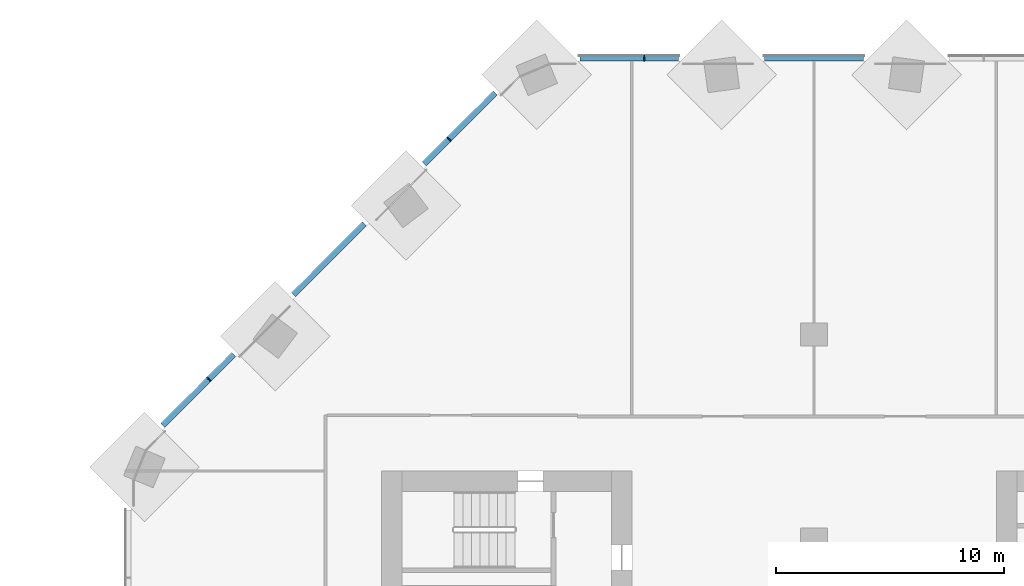
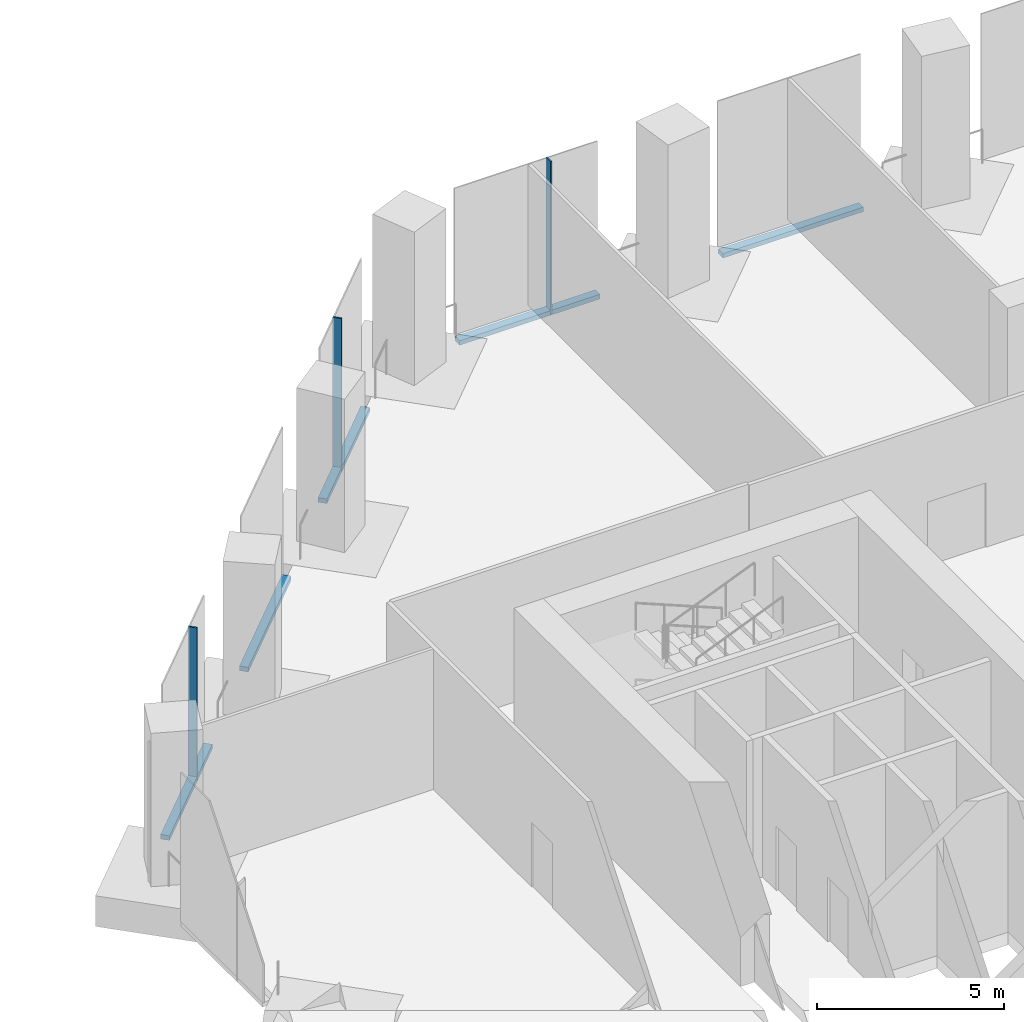
# One storey, part 10 of 27: 8 members, 2 elements without a shape of their own.
"""IFC4 building model written with IfcOpenShell, lengths in metres."""

from ifc_helpers import new_model, si_unit, direction, frame, origin, origin_2d, place, context, subcontext, project, spatial, rectangle, extrude, material, material_profile, profile_set, type_object, element, aggregate, save


model = new_model("IFC4")

# Units and contexts
model_context = context("Model", 3, precision=1e-05, world=origin(), true_north=direction((0.0, 1.0)))
body_context = subcontext(model_context, "Body", "Model", "MODEL_VIEW")
ifc_project = project(units=[si_unit("LENGTHUNIT", "METRE"), si_unit("AREAUNIT", "SQUARE_METRE"), si_unit("VOLUMEUNIT", "CUBIC_METRE"), si_unit("PLANEANGLEUNIT", "RADIAN"), si_unit("MASSUNIT", "GRAM", prefix="KILO")], contexts=[model_context])

# Site, building, storey
site_placement = place(None, origin())
site = spatial("IfcSite", under=ifc_project, at=site_placement, CompositionType="ELEMENT")
building_placement = place(site_placement, origin())
building = spatial("IfcBuilding", under=site, at=building_placement, Name="Orlundy Tower", CompositionType="ELEMENT")
storey_placement = place(building_placement, frame((0.0, 0.0, 10.5)))
storey = spatial("IfcBuildingStorey", under=building, at=storey_placement, Name="L01", CompositionType="ELEMENT", Elevation=10.5)

# Curtain wall, members
ifc_material_1 = material(Name="Aluminium bronze anodised", Category="aluminium")
curtain_wall_type = type_object("IfcCurtainWallType", Name="CW2 wall", PredefinedType="NOTDEFINED", material=ifc_material_1)
curtain_wall_1_placement = place(storey_placement, origin())
curtain_wall_1 = element("IfcCurtainWall", 1, at=curtain_wall_1_placement, inside=storey, type_object=curtain_wall_type, Name="CW2 run 014", PredefinedType="NOTDEFINED")
ifc_material_2 = material(Name="Aluminium bronze anodised", Category="aluminium")
ifc_material_profile_1 = material_profile(ifc_material_2, rectangle(XDim=0.25, YDim=0.050048828125, at=origin_2d()), Name="CW2 mullion 50x250")
ifc_profile_set_1 = profile_set([ifc_material_profile_1], Name="Aluminium bronze anodised")
member_type_1 = type_object("IfcMemberType", Name="CW2 mullion 50x250", PredefinedType="MULLION", material=ifc_profile_set_1)
member_1_placement = place(storey_placement, frame((-26.573486328125, 16.029296875, -0.39990234375), z_axis=(0.0, 0.0, 1.0), x_axis=(-0.707106781187, 0.707106781187, 0.0)))
member_1 = element("IfcMember", 2, at=member_1_placement, type_object=member_type_1, Name="CW2 mullion 35", PredefinedType="MULLION", context=body_context, shape_type="SweptSolid", body=[
    extrude(rectangle(XDim=0.25, YDim=0.050048828125, at=origin_2d()), origin(), (0.0, 0.0, 1.0), 5.0),
])
member_2_placement = place(storey_placement, frame((-16.029296875, 26.573486328125, -0.39990234375), z_axis=(0.0, 0.0, 1.0), x_axis=(-0.707106781187, 0.707106781187, 0.0)))
member_2 = element("IfcMember", 3, at=member_2_placement, type_object=member_type_1, Name="CW2 mullion 38", PredefinedType="MULLION", context=body_context, shape_type="SweptSolid", body=[
    extrude(rectangle(XDim=0.25, YDim=0.050048828125, at=origin_2d()), origin(), (0.0, 0.0, 1.0), 5.0),
])

# Curtain wall, member
curtain_wall_2_placement = place(storey_placement, origin())
curtain_wall_2 = element("IfcCurtainWall", 4, at=curtain_wall_2_placement, inside=storey, type_object=curtain_wall_type, Name="CW2 run 015", PredefinedType="NOTDEFINED")
member_3_placement = place(storey_placement, frame((-7.45556640625, 30.125, -0.39990234375), z_axis=(0.0, 0.0, 1.0), x_axis=(0.0, 1.0, 0.0)))
member_3 = element("IfcMember", 5, at=member_3_placement, type_object=member_type_1, Name="CW2 mullion 40", PredefinedType="MULLION", context=body_context, shape_type="SweptSolid", body=[
    extrude(rectangle(XDim=0.25, YDim=0.050048828125, at=origin_2d()), origin(), (0.0, 0.0, 1.0), 5.0),
])

# Member
ifc_material_3 = material(Name="Aluminium bronze anodised", Category="aluminium")
ifc_material_profile_2 = material_profile(ifc_material_3, rectangle(XDim=0.25, YDim=0.14990234375, at=origin_2d()), Name="CW2 transom 250x150")
ifc_profile_set_2 = profile_set([ifc_material_profile_2], Name="Aluminium bronze anodised")
member_type_2 = type_object("IfcMemberType", Name="CW2 transom 250x150", PredefinedType="USERDEFINED", material=ifc_profile_set_2)
member_4_placement = place(storey_placement, frame((-28.604248046875, 13.99853515625, -0.324951171875), z_axis=(0.707106781187, 0.707106781187, 0.0), x_axis=(-0.707106781187, 0.707106781187, 0.0)))
member_4 = element("IfcMember", 6, at=member_4_placement, type_object=member_type_2, Name="CW2 transom", ObjectType="TRANSOM", PredefinedType="USERDEFINED", context=body_context, shape_type="SweptSolid", body=[
    extrude(rectangle(XDim=0.25, YDim=0.14990234375, at=origin_2d()), origin(), (0.0, 0.0, 1.0), 4.419189453125),
])

member_5_placement = place(storey_placement, frame((-22.86328125, 19.739501953125, -0.324951171875), z_axis=(0.707106781187, 0.707106781187, 0.0), x_axis=(-0.707106781187, 0.707106781187, 0.0)))
member_5 = element("IfcMember", 7, at=member_5_placement, type_object=member_type_2, Name="CW2 transom", ObjectType="TRANSOM", PredefinedType="USERDEFINED", context=body_context, shape_type="SweptSolid", body=[
    extrude(rectangle(XDim=0.25, YDim=0.14990234375, at=origin_2d()), origin(), (0.0, 0.0, 1.0), 4.417724609375),
])

member_6_placement = place(storey_placement, frame((-17.123291015625, 25.4794921875, -0.324951171875), z_axis=(0.707106781187, 0.707106781187, 0.0), x_axis=(-0.707106781187, 0.707106781187, 0.0)))
member_6 = element("IfcMember", 8, at=member_6_placement, type_object=member_type_2, Name="CW2 transom", ObjectType="TRANSOM", PredefinedType="USERDEFINED", context=body_context, shape_type="SweptSolid", body=[
    extrude(rectangle(XDim=0.25, YDim=0.14990234375, at=origin_2d()), origin(), (0.0, 0.0, 1.0), 4.419189453125),
])

aggregate(curtain_wall_1, [member_1, member_2, member_4, member_5, member_6])

member_7_placement = place(storey_placement, frame((-10.28662109375, 30.125, -0.324951171875), z_axis=(1.0, 0.0, 0.0), x_axis=(0.0, 1.0, 0.0)))
member_7 = element("IfcMember", 9, at=member_7_placement, type_object=member_type_2, Name="CW2 transom", ObjectType="TRANSOM", PredefinedType="USERDEFINED", context=body_context, shape_type="SweptSolid", body=[
    extrude(rectangle(XDim=0.25, YDim=0.14990234375, at=origin_2d()), origin(), (0.0, 0.0, 1.0), 4.33642578125),
])

member_8_placement = place(storey_placement, frame((-2.167724609375, 30.125, -0.324951171875), z_axis=(1.0, 0.0, 0.0), x_axis=(0.0, 1.0, 0.0)))
member_8 = element("IfcMember", 10, at=member_8_placement, type_object=member_type_2, Name="CW2 transom", ObjectType="TRANSOM", PredefinedType="USERDEFINED", context=body_context, shape_type="SweptSolid", body=[
    extrude(rectangle(XDim=0.25, YDim=0.14990234375, at=origin_2d()), origin(), (0.0, 0.0, 1.0), 4.33544921875),
])

aggregate(curtain_wall_2, [member_3, member_7, member_8])

save(model, "model.ifc")
